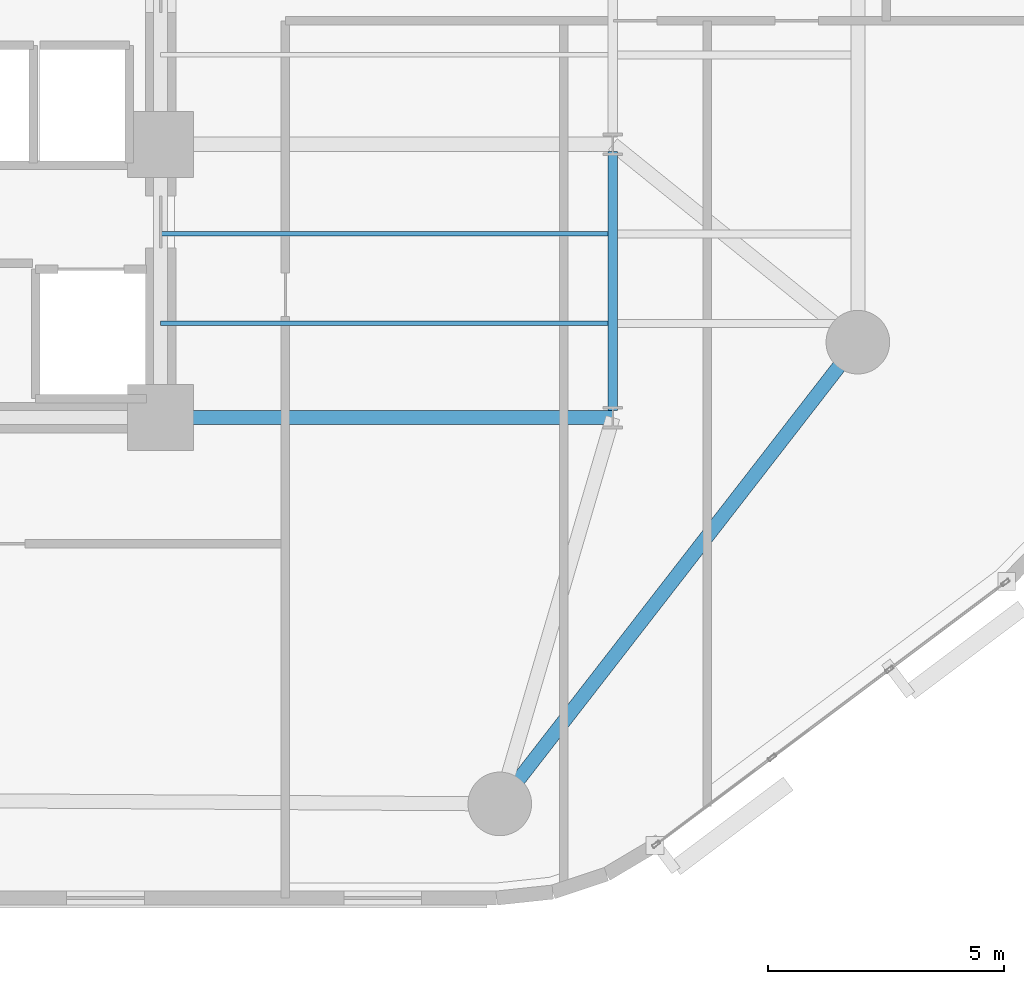
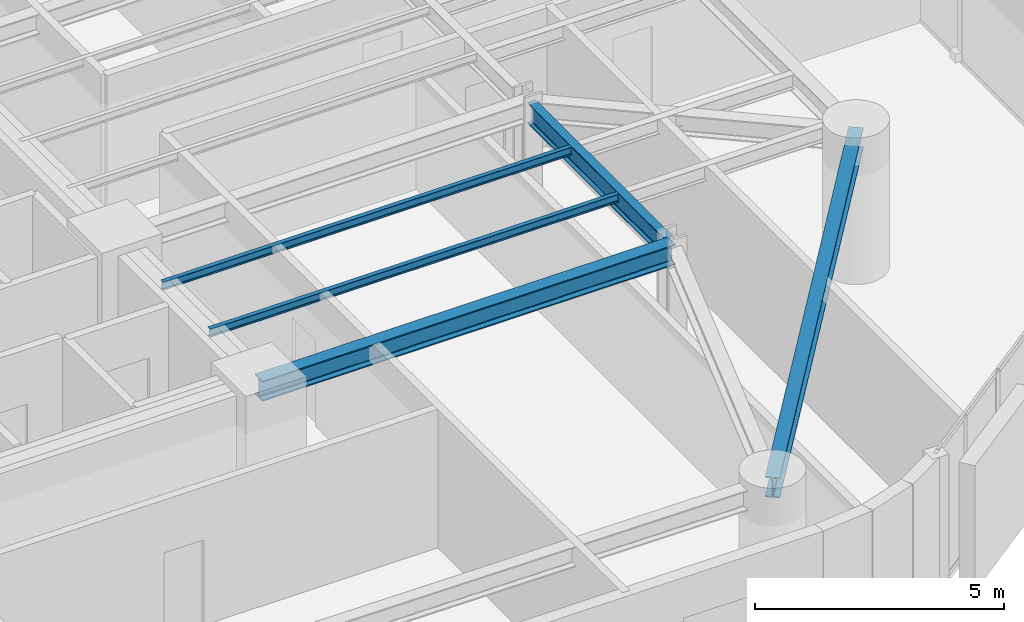
# One storey, part 3 of 16: 5 beams.
"""IFC4 building model written with IfcOpenShell, lengths in metres."""

from ifc_helpers import new_model, si_unit, direction, frame, origin, origin_2d, place, context, subcontext, project, spatial, i_section, extrude, material, material_profile, profile_set, type_object, element, save


model = new_model("IFC4")

# Units and contexts
model_context = context("Model", 3, precision=1e-05, world=origin(), true_north=direction((0.0, 1.0)))
body_context = subcontext(model_context, "Body", "Model", "MODEL_VIEW")
ifc_project = project(units=[si_unit("LENGTHUNIT", "METRE"), si_unit("AREAUNIT", "SQUARE_METRE"), si_unit("VOLUMEUNIT", "CUBIC_METRE"), si_unit("PLANEANGLEUNIT", "RADIAN"), si_unit("MASSUNIT", "GRAM", prefix="KILO")], contexts=[model_context])

# Site, building, storey
site_placement = place(None, origin())
site = spatial("IfcSite", under=ifc_project, at=site_placement, CompositionType="ELEMENT")
building_placement = place(site_placement, origin())
building = spatial("IfcBuilding", under=site, at=building_placement, Name="An Khanh Terracotta Commons", CompositionType="ELEMENT")
storey_placement = place(building_placement, frame((0.0, 0.0, 111.5)))
storey = spatial("IfcBuildingStorey", under=building, at=storey_placement, Name="L29", CompositionType="ELEMENT", Elevation=111.5)

# Beams
ifc_material = material(Name="Steel S355J2", Category="steel")
ifc_material_profile_1 = material_profile(ifc_material, i_section(OverallWidth=0.300048828125, OverallDepth=0.5, WebThickness=0.014404296875, FlangeThickness=0.028076171875, FilletRadius=0.027099609375, at=origin_2d()), Name="HEB500")
ifc_profile_set_1 = profile_set([ifc_material_profile_1], Name="Steel S355J2")
beam_type_1 = type_object("IfcBeamType", Name="BM-HEB500", PredefinedType="BEAM", material=ifc_profile_set_1)
beam_1_placement = place(storey_placement, frame((44.39990234375, 6.199951171875, 3.14990234375), z_axis=(0.612826529795, 0.790217466511, 0.0), x_axis=(-0.790217466511, 0.612826529795, 0.0)))
element("IfcBeam", 1, at=beam_1_placement, inside=storey, type_object=beam_type_1, Name="L29 Perimeter Ring Spandrel 2", PredefinedType="BEAM", context=body_context, shape_type="SweptSolid", body=[
    extrude(i_section(OverallWidth=0.300048828125, OverallDepth=0.5, WebThickness=0.014404296875, FlangeThickness=0.028076171875, FilletRadius=0.027099609375, at=origin_2d()), origin(), (0.0, 0.0, 1.0), 12.401611328125),
])
beam_2_placement = place(storey_placement, frame((37.199951171875, 14.39990234375, 3.14990234375), z_axis=(1.0, 0.0, 0.0), x_axis=(0.0, 1.0, 0.0)))
element("IfcBeam", 2, at=beam_2_placement, inside=storey, type_object=beam_type_1, Name="L29 East Primary Floor Girder 1", PredefinedType="BEAM", context=body_context, shape_type="SweptSolid", body=[
    extrude(i_section(OverallWidth=0.300048828125, OverallDepth=0.5, WebThickness=0.014404296875, FlangeThickness=0.028076171875, FilletRadius=0.027099609375, at=origin_2d()), origin(), (0.0, 0.0, 1.0), 9.60009765625),
])
ifc_material_profile_2 = material_profile(ifc_material, i_section(OverallWidth=0.10009765625, OverallDepth=0.199951171875, WebThickness=0.005615234375, FlangeThickness=0.008544921875, FilletRadius=0.011962890625, at=origin_2d()), Name="IPE200")
ifc_profile_set_2 = profile_set([ifc_material_profile_2], Name="Steel S355J2")
beam_type_2 = type_object("IfcBeamType", Name="BM-IPE200", PredefinedType="JOIST", material=ifc_profile_set_2)
for number, where, z_axis, x_axis, name in (
    (3, (37.199951171875, 16.39990234375, 3.300048828125), (1.0, 0.0, 0.0), (0.0, 1.0, 0.0), "L29 Inboard Composite Joist 1"),
    (4, (37.199951171875, 18.300048828125, 3.300048828125), (1.0, 0.0, 0.0), (0.0, 1.0, 0.0), "L29 Inboard Composite Joist 2"),
):
    element("IfcBeam", number, at=place(storey_placement, frame(where, z_axis=z_axis, x_axis=x_axis)), inside=storey, type_object=beam_type_2, Name=name, PredefinedType="JOIST", context=body_context, shape_type="SweptSolid", body=[
        extrude(i_section(OverallWidth=0.10009765625, OverallDepth=0.199951171875, WebThickness=0.005615234375, FlangeThickness=0.008544921875, FilletRadius=0.011962890625, at=origin_2d()), origin(), (0.0, 0.0, 1.0), 9.5),
    ])
ifc_material_profile_3 = material_profile(ifc_material, i_section(OverallWidth=0.199951171875, OverallDepth=0.5, WebThickness=0.01025390625, FlangeThickness=0.01611328125, FilletRadius=0.02099609375, at=origin_2d()), Name="IPE500")
ifc_profile_set_3 = profile_set([ifc_material_profile_3], Name="Steel S355J2")
beam_type_3 = type_object("IfcBeamType", Name="BM-IPE500", PredefinedType="BEAM", material=ifc_profile_set_3)
beam_3_placement = place(storey_placement, frame((46.800048828125, 14.550048828125, 3.14990234375), z_axis=(0.0, 1.0, 0.0), x_axis=(-1.0, 0.0, 0.0)))
element("IfcBeam", 5, at=beam_3_placement, inside=storey, type_object=beam_type_3, Name="L29 East Spine Girder 1", PredefinedType="BEAM", context=body_context, shape_type="SweptSolid", body=[
    extrude(i_section(OverallWidth=0.199951171875, OverallDepth=0.5, WebThickness=0.01025390625, FlangeThickness=0.01611328125, FilletRadius=0.02099609375, at=origin_2d()), origin(), (0.0, 0.0, 1.0), 5.5),
])

save(model, "model.ifc")
